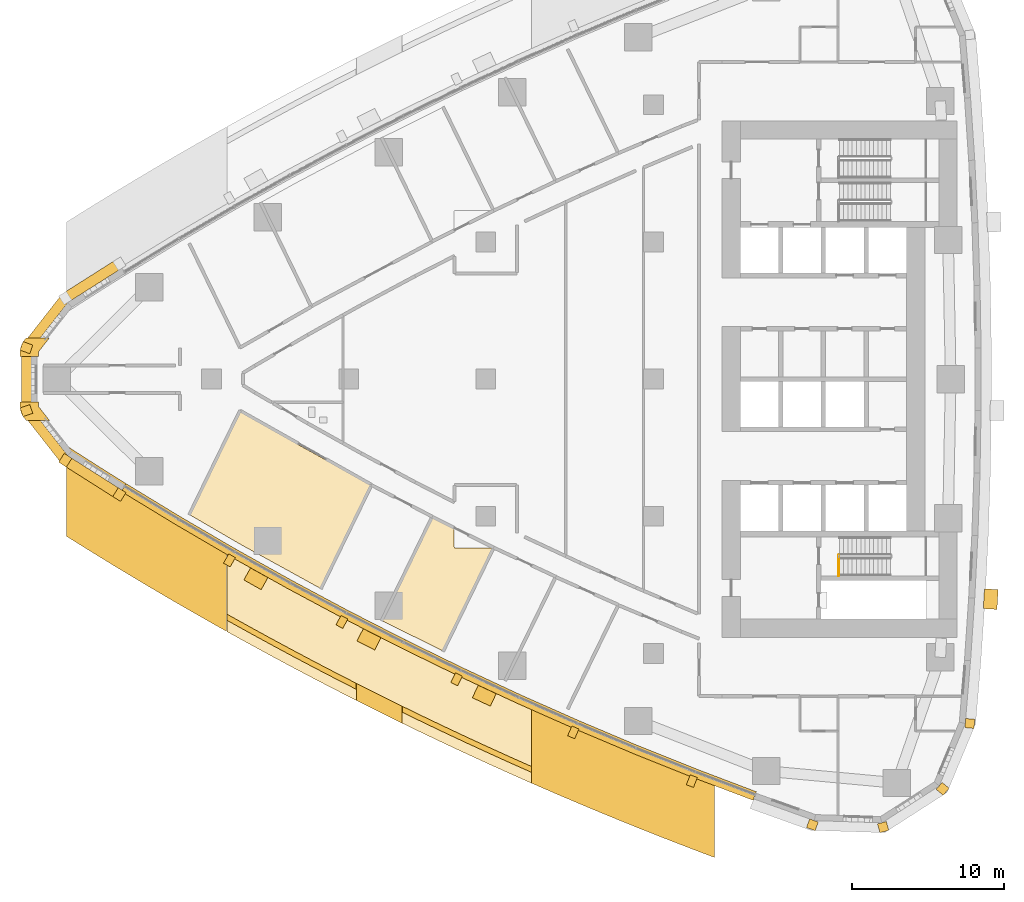
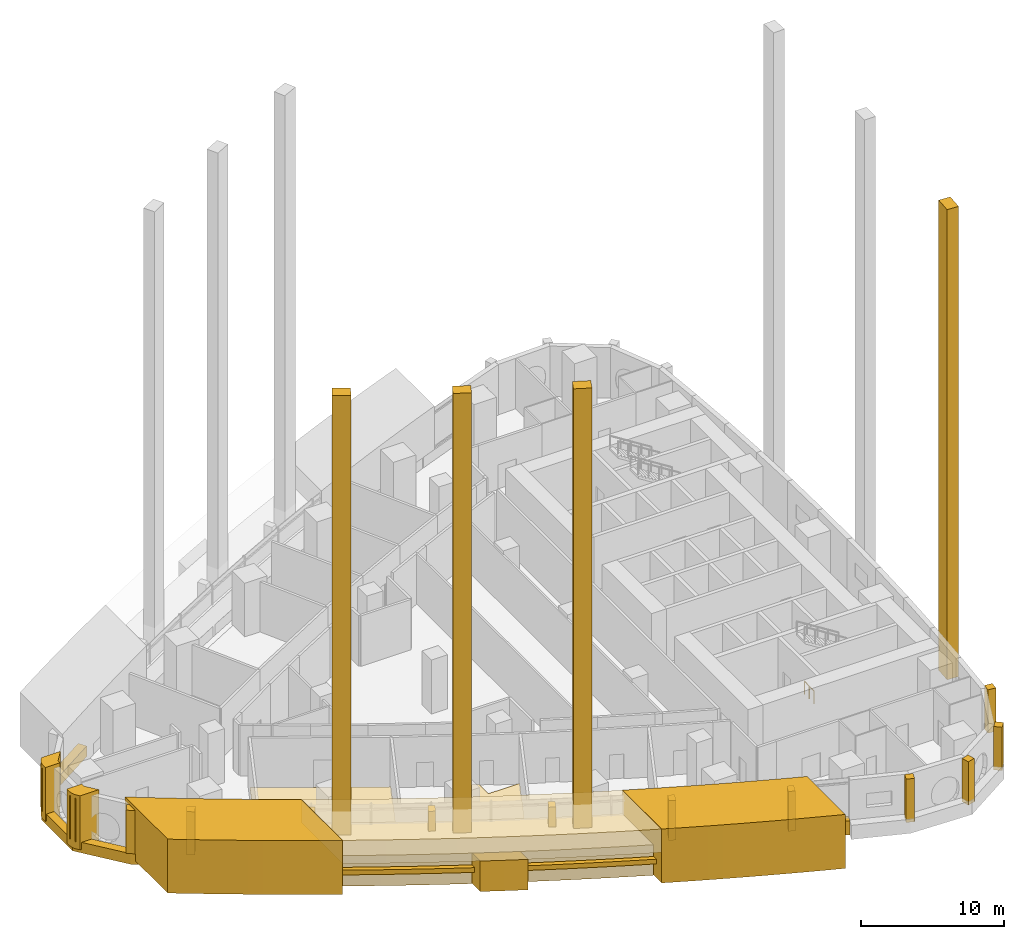
# One storey, part 15 of 20: 30 coverings, 1 railing.
"""IFC4 building model written with IfcOpenShell, lengths in metres."""

import ifcopenshell
import ifcopenshell.guid

model = None  # the IFC model being written
_history = None  # IfcOwnerHistory: only IFC2X3 demands one
_inside = {}  # id of a spatial element -> (the spatial element, [elements in it])
_under = {}  # id of a project, library or spatial element -> (it, [spatial elements below it])
_declared = {}  # id of a project -> (the project, [libraries it declares])
_typed = {}  # id of a type object -> (the type object, [elements of that type])
_made_of = {}  # id of a material, layer set ... -> (it, [elements and type objects made of it])


def new_model(schema):
    """Start an empty IFC model of exactly this schema.

    Asked for "IFC4X3", IfcOpenShell would pick the latest addendum, in which some entities
    have other attributes; the version numbers below select the first issue.
    IFC2X3 requires an IfcOwnerHistory on every rooted entity: one is made here for all.
    """
    global model, _history
    if schema == "IFC4X3":
        model = ifcopenshell.file(schema_version=(4, 3, 0, 0))
    else:
        model = ifcopenshell.file(schema=schema)
    _inside.clear()
    _under.clear()
    _declared.clear()
    _typed.clear()
    _made_of.clear()
    _history = None
    if model.schema == "IFC2X3":
        org = make("IfcOrganization", Name="unknown")
        user = make(
            "IfcPersonAndOrganization",
            ThePerson=make("IfcPerson", FamilyName="unknown"),
            TheOrganization=org,
        )
        app = make(
            "IfcApplication",
            ApplicationDeveloper=org,
            Version="unknown",
            ApplicationFullName="unknown",
            ApplicationIdentifier="unknown",
        )
        _history = make(
            "IfcOwnerHistory",
            OwningUser=user,
            OwningApplication=app,
            ChangeAction="ADDED",
            CreationDate=0,
        )
    return model


def make(cls, **values):
    """One entity of the class cls with the attributes given. An attribute that is None is left unset."""
    return model.create_entity(
        cls, **{name: value for name, value in values.items() if value is not None}
    )


def rooted(cls, **values):
    """An entity with a GlobalId (a new one), such as an element, a storey or a relation."""
    return make(cls, GlobalId=ifcopenshell.guid.new(), OwnerHistory=_history, **values)


def si_unit(unit_type, name, prefix=None):
    """IfcSIUnit, for example si_unit("LENGTHUNIT", "METRE", prefix="MILLI")."""
    return make("IfcSIUnit", UnitType=unit_type, Prefix=prefix, Name=name)


def assignment(units):
    """IfcUnitAssignment: the units of a project."""
    return None if units is None else make("IfcUnitAssignment", Units=units)


def point(xyz):
    """IfcCartesianPoint."""
    return None if xyz is None else make("IfcCartesianPoint", Coordinates=xyz)


def direction(xyz):
    """IfcDirection."""
    return None if xyz is None else make("IfcDirection", DirectionRatios=xyz)


def frame(location, z_axis=None, x_axis=None):
    """IfcAxis2Placement3D, a coordinate frame: its origin and axes. An axis left out is left unset."""
    return make(
        "IfcAxis2Placement3D",
        Location=point(location),
        Axis=direction(z_axis),
        RefDirection=direction(x_axis),
    )


def frame_2d(location, x_axis=None):
    """IfcAxis2Placement2D, a coordinate frame in the plane: its origin and x axis."""
    return make(
        "IfcAxis2Placement2D", Location=point(location), RefDirection=direction(x_axis)
    )


def origin():
    """The frame at (0, 0, 0) with its axes left unset."""
    return frame((0.0, 0.0, 0.0))


def origin_2d():
    """The frame at (0, 0) in the plane with its x axis left unset."""
    return frame_2d((0.0, 0.0))


def place(relative_to, where):
    """IfcLocalPlacement: puts the frame where relative to a parent placement (None: the world)."""
    return make(
        "IfcLocalPlacement", PlacementRelTo=relative_to, RelativePlacement=where
    )


def context(
    kind, dimensions, precision=None, world=None, true_north=None, identifier=None
):
    """IfcGeometricRepresentationContext, for example the 3D "Model" context."""
    return make(
        "IfcGeometricRepresentationContext",
        ContextIdentifier=identifier,
        ContextType=kind,
        CoordinateSpaceDimension=dimensions,
        Precision=precision,
        WorldCoordinateSystem=world,
        TrueNorth=true_north,
    )


def subcontext(parent, identifier, kind, view, scale=None):
    """IfcGeometricRepresentationSubContext, for example "Body" below "Model"."""
    return make(
        "IfcGeometricRepresentationSubContext",
        ContextIdentifier=identifier,
        ContextType=kind,
        ParentContext=parent,
        TargetScale=scale,
        TargetView=view,
    )


def project(units=None, contexts=None):
    """IfcProject with its units and contexts."""
    return rooted(
        "IfcProject",
        Name="project",
        RepresentationContexts=contexts,
        UnitsInContext=assignment(units),
    )


def spatial(cls, under=None, at=None, **own):
    """A site, building, storey or space (cls), placed at a placement, below another one or the project."""
    s = rooted(cls, ObjectPlacement=at, **own)
    if under is not None:
        _under.setdefault(under.id(), (under, []))[1].append(s)
    return s


def polyline(points):
    """IfcPolyline through the points."""
    return make("IfcPolyline", Points=[point(p) for p in points])


def profile(cls, at=None, kind="AREA", **sizes):
    """A parametric profile (cls). Its sizes go by their IFC names, for example OverallWidth=200.0."""
    return make(cls, ProfileType=kind, Position=at, **sizes)


def rectangle(**sizes):
    """IfcRectangleProfileDef."""
    return profile("IfcRectangleProfileDef", **sizes)


def circle(**sizes):
    """IfcCircleProfileDef."""
    return profile("IfcCircleProfileDef", **sizes)


def outline(outer, holes=None, kind="AREA"):
    """IfcArbitraryClosedProfileDef: a profile drawn as a closed curve; with holes, ...WithVoids."""
    if holes is None:
        return make("IfcArbitraryClosedProfileDef", ProfileType=kind, OuterCurve=outer)
    return make(
        "IfcArbitraryProfileDefWithVoids",
        ProfileType=kind,
        OuterCurve=outer,
        InnerCurves=holes,
    )


def extrude(swept, where, along, depth):
    """IfcExtrudedAreaSolid: the profile swept, set in the frame where, extruded along a direction by depth."""
    return make(
        "IfcExtrudedAreaSolid",
        SweptArea=swept,
        Position=where,
        ExtrudedDirection=direction(along),
        Depth=depth,
    )


def shape(context_of_items, identifier, shape_type, items):
    """IfcShapeRepresentation: the items that make up one representation, for example the "Body"."""
    return make(
        "IfcShapeRepresentation",
        ContextOfItems=context_of_items,
        RepresentationIdentifier=identifier,
        RepresentationType=shape_type,
        Items=items,
    )


def material(Name=None, Category=None):
    """IfcMaterial."""
    return make("IfcMaterial", Name=Name, Category=Category)


def layer(
    of_material, thickness, ventilated=None, Name=None, Category=None, Priority=None
):
    """IfcMaterialLayer: one layer of a wall or slab, of a material (None: an air gap)."""
    return make(
        "IfcMaterialLayer",
        Material=of_material,
        LayerThickness=thickness,
        IsVentilated=ventilated,
        Name=Name,
        Category=Category,
        Priority=Priority,
    )


def layer_set(layers, Name=None):
    """IfcMaterialLayerSet."""
    return make("IfcMaterialLayerSet", MaterialLayers=layers, LayerSetName=Name)


def made_of(thing, what):
    """Note that an element or type object is made of a material, layer set ...; save() writes the relation."""
    if what is not None:
        _made_of.setdefault(what.id(), (what, []))[1].append(thing)
    return thing


def type_object(cls, material=None, **own):
    """A type object (cls), such as IfcWallType, which elements share."""
    return made_of(rooted(cls, **own), material)


def element(
    cls,
    number,
    at=None,
    inside=None,
    cuts=None,
    type_object=None,
    material=None,
    context=None,
    identifier="Body",
    shape_type=None,
    held_by="IfcProductDefinitionShape",
    body=None,
    shapes=None,
    **own,
):
    """One element of the class cls, such as IfcWall. Its Tag is "e" and its number.

    at: its placement. inside: the storey or other place that contains it. cuts: it is an
    opening in that element (IfcRelVoidsElement). A single representation is given by context,
    identifier, shape_type and body (its items); several are given by shapes. held_by: the class
    of the entity that holds the representations. save() writes the other relations.
    """
    e = rooted(cls, Tag="e%d" % number, ObjectPlacement=at, **own)
    if body is not None:
        shapes = [shape(context, identifier, shape_type, body)]
    if shapes is not None:
        e.Representation = make(held_by, Representations=shapes)
    if inside is not None:
        _inside.setdefault(inside.id(), (inside, []))[1].append(e)
    if cuts is not None:
        rooted(
            "IfcRelVoidsElement", RelatingBuildingElement=cuts, RelatedOpeningElement=e
        )
    if type_object is not None:
        _typed.setdefault(type_object.id(), (type_object, []))[1].append(e)
    return made_of(e, material)


def aggregate(whole, parts):
    """IfcRelAggregates: a whole, such as a stair, and the parts it consists of."""
    return rooted("IfcRelAggregates", RelatingObject=whole, RelatedObjects=parts)


def save(model, path):
    """Write the relations noted so far, then the file.

    IfcRelAggregates (storeys below a building ...), IfcRelContainedInSpatialStructure (elements
    in a storey), IfcRelDefinesByType, IfcRelAssociatesMaterial and IfcRelDeclares: one each for
    every whole, place, type object, material and project.
    """
    for whole, parts in _under.values():
        aggregate(whole, parts)
    for where, things in _inside.values():
        rooted(
            "IfcRelContainedInSpatialStructure",
            RelatedElements=things,
            RelatingStructure=where,
        )
    for kind, things in _typed.values():
        rooted("IfcRelDefinesByType", RelatedObjects=things, RelatingType=kind)
    for what, things in _made_of.values():
        rooted("IfcRelAssociatesMaterial", RelatedObjects=things, RelatingMaterial=what)
    for by, libraries in _declared.values():
        rooted("IfcRelDeclares", RelatingContext=by, RelatedDefinitions=libraries)
    model.write(path)


model = new_model("IFC4")

# Units and contexts
model_context = context("Model", 3, precision=1e-05, world=origin(), true_north=direction((0.0, 1.0)))
body_context = subcontext(model_context, "Body", "Model", "MODEL_VIEW")
ifc_project = project(units=[si_unit("LENGTHUNIT", "METRE"), si_unit("AREAUNIT", "SQUARE_METRE"), si_unit("VOLUMEUNIT", "CUBIC_METRE"), si_unit("PLANEANGLEUNIT", "RADIAN"), si_unit("MASSUNIT", "GRAM", prefix="KILO")], contexts=[model_context])

# Site, building, storey
site_placement = place(None, origin())
site = spatial("IfcSite", under=ifc_project, at=site_placement, CompositionType="ELEMENT")
building_placement = place(site_placement, origin())
building = spatial("IfcBuilding", under=site, at=building_placement, Name="Ostrand Prow Hotel Tower", CompositionType="ELEMENT")
storey_placement = place(building_placement, frame((0.0, 0.0, 35.0)))
storey = spatial("IfcBuildingStorey", under=building, at=storey_placement, Name="L06", CompositionType="ELEMENT", Elevation=35.0)

# Coverings
ifc_material_1 = material(Name="Bronze anodised aluminium cladding", Category="aluminium")
ifc_layer_1 = layer(ifc_material_1, 0.60009765625)
ifc_layer_set_1 = layer_set([ifc_layer_1], Name="Bronze anodised aluminium cladding")
covering_type_1 = type_object("IfcCoveringType", Name="Bronze prow band 899x600", PredefinedType="CLADDING", material=ifc_layer_set_1)
covering_1_placement = place(storey_placement, frame((0.0, 0.0, -0.300048828125)))
element("IfcCovering", 1, at=covering_1_placement, inside=storey, type_object=covering_type_1, Name="Bronze prow band", PredefinedType="CLADDING", context=body_context, shape_type="SweptSolid", body=[
    extrude(outline(polyline([(9.77734375, 7.864013671875), (6.2197265625, 5.6083984375), (3.53369140625, 2.178466796875), (3.53369140625, -2.178466796875), (6.2197265625, -5.6083984375), (9.77734375, -7.864013671875), (10.13623046875, -7.286376953125), (6.589111328125, -5.03759765625), (4.176513671875, -1.95654296875), (4.176513671875, 1.95654296875), (6.589111328125, 5.03759765625), (10.13623046875, 7.286376953125), (9.77734375, 7.864013671875)])), origin(), (0.0, 0.0, 1.0), 0.900146484375),
])
ifc_material_2 = material(Name="Bronze anodised aluminium cladding", Category="aluminium")
ifc_layer_2 = layer(ifc_material_2, 0.60009765625)
ifc_layer_set_2 = layer_set([ifc_layer_2], Name="Bronze anodised aluminium cladding")
covering_type_2 = type_object("IfcCoveringType", Name="Bronze spandrel band 1200x600", PredefinedType="CLADDING", material=ifc_layer_set_2)
covering_2_placement = place(storey_placement, frame((0.0, 0.0, -0.300048828125)))
element("IfcCovering", 2, at=covering_2_placement, inside=storey, type_object=covering_type_2, Name="Spandrel band S1", PredefinedType="CLADDING", context=body_context, shape_type="SweptSolid", body=[
    extrude(outline(polyline([(10.08349609375, -7.371337890625), (13.672607421875, -9.555419921875), (17.301513671875, -11.673095703125), (20.968994140625, -13.723876953125), (24.673095703125, -15.70654296875), (28.413330078125, -17.62060546875), (32.188232421875, -19.4658203125), (35.996337890625, -21.2412109375), (39.83642578125, -22.946044921875), (43.70751953125, -24.580078125), (47.607666015625, -26.142578125), (51.5361328125, -27.6328125), (51.743896484375, -27.070068359375), (47.82568359375, -25.58349609375), (43.935791015625, -24.025146484375), (40.074951171875, -22.3955078125), (36.244873046875, -20.695068359375), (32.44677734375, -18.92431640625), (28.681884765625, -17.083984375), (24.951416015625, -15.1748046875), (21.2568359375, -13.197509765625), (17.59912109375, -11.152099609375), (13.97998046875, -9.0400390625), (10.39990234375, -6.86181640625), (10.08349609375, -7.371337890625)])), origin(), (0.0, 0.0, 1.0), 1.199951171875),
])
ifc_material_3 = material(Name="Limestone cladding", Category="masonry")
ifc_layer_3 = layer(ifc_material_3, 5.0)
ifc_layer_set_3 = layer_set([ifc_layer_3], Name="Limestone cladding")
covering_type_3 = type_object("IfcCoveringType", Name="Portal jamb pilaster limestone", PredefinedType="CLADDING", material=ifc_layer_set_3)
covering_3_placement = place(storey_placement, origin())
element("IfcCovering", 3, at=covering_3_placement, inside=storey, type_object=covering_type_3, Name="Portal jamb SA L06", PredefinedType="CLADDING", context=body_context, shape_type="SweptSolid", body=[
    extrude(outline(polyline([(6.5, -4.3837890625), (6.5, -10.319580078125), (7.45458984375, -10.917724609375), (8.4091796875, -11.509521484375), (9.363525390625, -12.09521484375), (10.318115234375, -12.67431640625), (11.272705078125, -13.247314453125), (12.227294921875, -13.81396484375), (13.181884765625, -14.37451171875), (14.136474609375, -14.92919921875), (15.0908203125, -15.4775390625), (16.04541015625, -16.020263671875), (17.0, -16.556640625), (17.0, -10.80859375), (16.04541015625, -10.25634765625), (15.0908203125, -9.697998046875), (14.136474609375, -9.13330078125), (13.181884765625, -8.562255859375), (12.227294921875, -7.98486328125), (11.272705078125, -7.401123046875), (10.318115234375, -6.810791015625), (9.363525390625, -6.214111328125), (8.4091796875, -5.610595703125), (7.45458984375, -5.00048828125), (6.5, -4.3837890625)])), origin(), (0.0, 0.0, 1.0), 4.60009765625),
])
covering_4_placement = place(storey_placement, origin())
element("IfcCovering", 4, at=covering_4_placement, inside=storey, type_object=covering_type_3, Name="Portal jamb SB L06", PredefinedType="CLADDING", context=body_context, shape_type="SweptSolid", body=[
    extrude(outline(polyline([(37.0, -21.037109375), (37.0, -26.50927734375), (38.0, -26.945556640625), (39.0, -27.376220703125), (40.0, -27.801513671875), (41.0, -28.22119140625), (42.0, -28.635498046875), (43.0, -29.044189453125), (44.0, -29.447509765625), (45.0, -29.845703125), (46.0, -30.23828125), (47.0, -30.62548828125), (48.0, -31.0078125), (49.0, -31.384521484375), (49.0, -26.03759765625), (48.0, -25.6513671875), (47.0, -25.259765625), (46.0, -24.862548828125), (45.0, -24.459716796875), (44.0, -24.051513671875), (43.0, -23.637939453125), (42.0, -23.218505859375), (41.0, -22.793701171875), (40.0, -22.363037109375), (39.0, -21.9267578125), (38.0, -21.484619140625), (37.0, -21.037109375)])), origin(), (0.0, 0.0, 1.0), 4.60009765625),
])
ifc_material_4 = material(Name="Limestone cladding", Category="masonry")
ifc_layer_4 = layer(ifc_material_4, 1.0)
ifc_layer_set_4 = layer_set([ifc_layer_4], Name="Limestone cladding")
covering_type_4 = type_object("IfcCoveringType", Name="Portal keystone limestone", PredefinedType="CLADDING", material=ifc_layer_set_4)
covering_5_placement = place(storey_placement, origin())
element("IfcCovering", 5, at=covering_5_placement, inside=storey, type_object=covering_type_4, Name="Portal keystone S L06", PredefinedType="CLADDING", context=body_context, shape_type="SweptSolid", body=[
    extrude(outline(polyline([(27.0, -21.83251953125), (28.5, -22.5712890625), (28.5, -21.457763671875), (28.4287109375, -21.4228515625), (27.0, -20.71533203125), (25.5712890625, -19.995361328125), (25.5, -19.958740234375), (25.5, -21.080322265625), (27.0, -21.83251953125)])), origin(), (0.0, 0.0, 1.0), 2.60009765625),
])
ifc_material_5 = material(Name="Limestone cladding", Category="masonry")
ifc_layer_5 = layer(ifc_material_5, 0.35009765625)
ifc_layer_set_5 = layer_set([ifc_layer_5], Name="Limestone cladding")
covering_type_5 = type_object("IfcCoveringType", Name="Portal lintel course limestone 350 mm", PredefinedType="CLADDING", material=ifc_layer_set_5)
covering_6_placement = place(storey_placement, frame((0.0, 0.0, 1.199951171875)))
element("IfcCovering", 6, at=covering_6_placement, inside=storey, type_object=covering_type_5, Name="Portal lintel course S L06.1 1", PredefinedType="CLADDING", context=body_context, shape_type="SweptSolid", body=[
    extrude(outline(polyline([(24.142822265625, -19.656982421875), (25.47998046875, -20.34130859375), (25.47998046875, -19.948486328125), (24.142822265625, -19.26318359375), (22.71435546875, -18.518310546875), (21.28564453125, -17.7607421875), (19.857177734375, -16.990234375), (18.4287109375, -16.206787109375), (17.010009765625, -15.416015625), (17.010009765625, -15.8173828125), (18.4287109375, -16.606689453125), (19.857177734375, -17.388671875), (21.28564453125, -18.157470703125), (22.71435546875, -18.91357421875), (24.142822265625, -19.656982421875)])), origin(), (0.0, 0.0, 1.0), 0.400146484375),
])
covering_7_placement = place(storey_placement, frame((0.0, 0.0, 1.199951171875)))
element("IfcCovering", 7, at=covering_7_placement, inside=storey, type_object=covering_type_5, Name="Portal lintel course S L06.1 2", PredefinedType="CLADDING", context=body_context, shape_type="SweptSolid", body=[
    extrude(outline(polyline([(34.142822265625, -24.517333984375), (35.5712890625, -25.1640625), (36.989990234375, -25.794921875), (36.989990234375, -25.412109375), (35.5712890625, -24.780517578125), (34.142822265625, -24.132568359375), (32.71435546875, -23.472900390625), (31.28564453125, -22.801513671875), (29.857177734375, -22.118408203125), (28.52001953125, -21.46728515625), (28.52001953125, -21.857177734375), (29.857177734375, -22.5068359375), (31.28564453125, -23.18896484375), (32.71435546875, -23.859130859375), (34.142822265625, -24.517333984375)])), origin(), (0.0, 0.0, 1.0), 0.400146484375),
])
ifc_material_6 = material(Name="Limestone cladding", Category="masonry")
ifc_layer_6 = layer(ifc_material_6, 4.0)
ifc_layer_set_6 = layer_set([ifc_layer_6], Name="Limestone cladding")
covering_type_6 = type_object("IfcCoveringType", Name="Portal lintel limestone", PredefinedType="CLADDING", material=ifc_layer_set_6)
covering_8_placement = place(storey_placement, origin())
element("IfcCovering", 8, at=covering_8_placement, inside=storey, type_object=covering_type_6, Name="Portal lintel S L06", PredefinedType="CLADDING", context=body_context, shape_type="SweptSolid", body=[
    extrude(outline(polyline([(18.4287109375, -11.623779296875), (17.010009765625, -10.814453125), (17.010009765625, -15.416015625), (18.4287109375, -16.206787109375), (19.857177734375, -16.990234375), (21.28564453125, -17.7607421875), (22.71435546875, -18.518310546875), (24.142822265625, -19.26318359375), (25.5712890625, -19.995361328125), (27.0, -20.71533203125), (28.4287109375, -21.4228515625), (29.857177734375, -22.118408203125), (31.28564453125, -22.801513671875), (32.71435546875, -23.472900390625), (34.142822265625, -24.132568359375), (35.5712890625, -24.780517578125), (36.989990234375, -25.412109375), (36.989990234375, -21.037109375), (36.989990234375, -21.035888671875), (36.990234375, -21.034912109375), (36.990478515625, -21.033935546875), (36.99072265625, -21.033203125), (36.990966796875, -21.03271484375), (35.5712890625, -20.38720703125), (34.142822265625, -19.7255859375), (32.71435546875, -19.052001953125), (31.28564453125, -18.365966796875), (29.857177734375, -17.667724609375), (28.4287109375, -16.957275390625), (27.0, -16.234130859375), (25.5712890625, -15.498291015625), (24.142822265625, -14.74951171875), (22.71435546875, -13.98779296875), (21.28564453125, -13.213134765625), (19.857177734375, -12.42529296875), (18.4287109375, -11.623779296875)])), origin(), (0.0, 0.0, 1.0), 2.60009765625),
])
covering_9_placement = place(storey_placement, frame((0.0, 0.0, 2.60009765625)))
element("IfcCovering", 9, at=covering_9_placement, inside=storey, type_object=covering_type_6, Name="Portal cornice S L06", PredefinedType="CLADDING", context=body_context, shape_type="SweptSolid", body=[
    extrude(outline(polyline([(18.22412109375, -11.5078125), (17.010009765625, -10.8134765625), (17.010009765625, -16.556640625), (17.010009765625, -16.5576171875), (17.009765625, -16.55859375), (17.009521484375, -16.559814453125), (17.00927734375, -16.560546875), (17.009033203125, -16.560791015625), (18.22412109375, -17.236328125), (19.689697265625, -18.037109375), (21.1552734375, -18.824462890625), (22.62060546875, -19.598388671875), (24.086181640625, -20.359130859375), (25.5517578125, -21.106689453125), (27.01708984375, -21.841064453125), (28.48291015625, -22.562744140625), (29.9482421875, -23.271728515625), (31.413818359375, -23.96826171875), (32.87939453125, -24.652099609375), (34.3447265625, -25.323486328125), (35.810302734375, -25.98291015625), (36.989990234375, -26.50390625), (36.989990234375, -21.037109375), (36.989990234375, -21.035888671875), (36.990234375, -21.034912109375), (36.990478515625, -21.033935546875), (36.99072265625, -21.033203125), (36.9912109375, -21.0322265625), (36.9912109375, -21.031982421875), (35.810302734375, -20.49658203125), (34.3447265625, -19.81982421875), (32.87939453125, -19.13037109375), (31.413818359375, -18.427978515625), (29.9482421875, -17.712646484375), (28.48291015625, -16.984375), (27.01708984375, -16.242919921875), (25.5517578125, -15.488037109375), (24.086181640625, -14.719482421875), (22.62060546875, -13.9375), (21.1552734375, -13.1416015625), (19.689697265625, -12.331787109375), (18.22412109375, -11.5078125)])), origin(), (0.0, 0.0, 1.0), 2.0),
])
ifc_material_7 = material(Name="Limestone cladding", Category="masonry")
ifc_layer_7 = layer(ifc_material_7, 1.300048828125)
ifc_layer_set_7 = layer_set([ifc_layer_7], Name="Limestone cladding")
covering_type_7 = type_object("IfcCoveringType", Name="Precast stone fin 1300x1500", PredefinedType="CLADDING", material=ifc_layer_set_7)
for number, where, z_axis, x_axis, name in (
    (10, (19.130615234375, -12.706787109375, 0.0), (0.0, 0.0, 1.0), (-0.487967253808, -0.872861935939, 0.0), "Stone fin S zone 1 3"),
    (11, (26.538818359375, -16.672119140625, 0.0), (0.0, 0.0, 1.0), (-0.455440806786, -0.890266067821, 0.0), "Stone fin S zone 1 5"),
):
    element("IfcCovering", number, at=place(storey_placement, frame(where, z_axis=z_axis, x_axis=x_axis)), inside=storey, type_object=covering_type_7, Name=name, PredefinedType="CLADDING", context=body_context, shape_type="SweptSolid", body=[
        extrude(rectangle(XDim=0.900146484375, YDim=1.300048828125, at=frame_2d((0.4501953125, 0.0))), origin(), (0.0, 0.0, 1.0), 40.10009765625),
    ])
covering_10_placement = place(storey_placement, frame((34.088134765625, -20.3623046875, 0.0), z_axis=(0.0, 0.0, 1.0), x_axis=(-0.422410141551, -0.906404805986, 0.0)))
element("IfcCovering", 12, at=covering_10_placement, inside=storey, type_object=covering_type_7, Name="Stone fin S zone 1 7", PredefinedType="CLADDING", context=body_context, shape_type="SweptSolid", body=[
    extrude(rectangle(XDim=0.89990234375, YDim=1.300048828125, at=frame_2d((0.449951171875, 0.0))), origin(), (0.0, 0.0, 1.0), 40.10009765625),
])
covering_11_placement = place(storey_placement, frame((66.677001953125, -14.406494140625, 0.0), z_axis=(0.0, 0.0, 1.0), x_axis=(0.998265003903, -0.058881083405, 0.0)))
element("IfcCovering", 13, at=covering_11_placement, inside=storey, type_object=covering_type_7, Name="Stone fin back zone 1 7", PredefinedType="CLADDING", context=body_context, shape_type="SweptSolid", body=[
    extrude(rectangle(XDim=0.899658203125, YDim=1.300048828125, at=frame_2d((0.44970703125, 0.0))), origin(), (0.0, 0.0, 1.0), 40.10009765625),
])
ifc_material_8 = material(Name="Limestone cladding", Category="masonry")
ifc_layer_8 = layer(ifc_material_8, 0.5)
ifc_layer_set_8 = layer_set([ifc_layer_8], Name="Limestone cladding")
covering_type_8 = type_object("IfcCoveringType", Name="Precast stone fin 500x600", PredefinedType="CLADDING", material=ifc_layer_set_8)
for number, where, z_axis, x_axis, name in (
    (14, (17.351318359375, -11.58642578125, 0.89990234375), (0.0, 0.0, 1.0), (-0.496326736207, -0.868135802122, 0.0), "Stone fin S 3"),
    (15, (24.719482421875, -15.617919921875, 0.89990234375), (0.0, 0.0, 1.0), (-0.463602867837, -0.886043103316, 0.0), "Stone fin S 5"),
):
    element("IfcCovering", number, at=place(storey_placement, frame(where, z_axis=z_axis, x_axis=x_axis)), inside=storey, type_object=covering_type_8, Name=name, PredefinedType="CLADDING", context=body_context, shape_type="SweptSolid", body=[
        extrude(rectangle(XDim=0.699951171875, YDim=0.5, at=frame_2d((0.35009765625, 0.0))), origin(), (0.0, 0.0, 1.0), 3.400146484375),
    ])
covering_12_placement = place(storey_placement, frame((32.231201171875, -19.37548828125, 0.89990234375), z_axis=(0.0, 0.0, 1.0), x_axis=(-0.430677943973, -0.902505683403, 0.0)))
element("IfcCovering", 16, at=covering_12_placement, inside=storey, type_object=covering_type_8, Name="Stone fin S 7", PredefinedType="CLADDING", context=body_context, shape_type="SweptSolid", body=[
    extrude(rectangle(XDim=0.7001953125, YDim=0.5, at=frame_2d((0.35009765625, 0.0))), origin(), (0.0, 0.0, 1.0), 3.400146484375),
])
for number, where, z_axis, x_axis, name in (
    (17, (39.876220703125, -22.854248046875, 0.89990234375), (0.0, 0.0, 1.0), (-0.397284388642, -0.917695545669, 0.0), "Stone fin S 9"),
    (18, (47.64404296875, -26.04931640625, 0.89990234375), (0.0, 0.0, 1.0), (-0.363439124907, -0.931617948779, 0.0), "Stone fin S 11"),
):
    element("IfcCovering", number, at=place(storey_placement, frame(where, z_axis=z_axis, x_axis=x_axis)), inside=storey, type_object=covering_type_8, Name=name, PredefinedType="CLADDING", context=body_context, shape_type="SweptSolid", body=[
        extrude(rectangle(XDim=0.699951171875, YDim=0.5, at=frame_2d((0.35009765625, 0.0))), origin(), (0.0, 0.0, 1.0), 3.400146484375),
    ])
ifc_material_9 = material(Name="Limestone cladding", Category="masonry")
ifc_layer_9 = layer(ifc_material_9, 0.60009765625)
ifc_layer_set_9 = layer_set([ifc_layer_9], Name="Limestone cladding")
covering_type_9 = type_object("IfcCoveringType", Name="Precast stone prow rib 600x600", PredefinedType="CLADDING", material=ifc_layer_set_9)
for number, where, z_axis, x_axis, name in (
    (19, (4.176513671875, 1.95654296875, 0.60009765625), (0.0, 0.0, 1.0), (-0.945254650653, 0.326333641262, 0.0), "Stone prow rib 3"),
    (20, (4.176513671875, -1.95654296875, 0.60009765625), (0.0, 0.0, 1.0), (-0.945254650653, -0.326333641262, 0.0), "Stone prow rib 4"),
    (21, (6.589111328125, -5.03759765625, 0.60009765625), (0.0, 0.0, 1.0), (-0.543295944087, -0.839541253983, 0.0), "Stone prow rib 5"),
    (22, (10.13623046875, -7.286376953125, 0.60009765625), (0.0, 0.0, 1.0), (-0.527738148304, -0.849407114889, 0.0), "Stone prow rib 6"),
):
    element("IfcCovering", number, at=place(storey_placement, frame(where, z_axis=z_axis, x_axis=x_axis)), inside=storey, type_object=covering_type_9, Name=name, PredefinedType="CLADDING", context=body_context, shape_type="SweptSolid", body=[
        extrude(rectangle(XDim=0.679931640625, YDim=0.60009765625, at=frame_2d((0.33984375, 0.0))), origin(), (0.0, 0.0, 1.0), 3.699951171875),
    ])
for number, where, z_axis, x_axis, name in (
    (23, (55.524169921875, -28.956298828125, 0.60009765625), (0.0, 0.0, 1.0), (-0.328773122904, -0.94440893349, 0.0), "Stone corner rib 2a"),
    (24, (59.98681640625, -29.1025390625, 0.60009765625), (0.0, 0.0, 1.0), (0.266111535611, -0.963942244439, 0.0), "Stone corner rib 3a"),
    (25, (63.74169921875, -26.6865234375, 0.60009765625), (0.0, 0.0, 1.0), (0.766985844654, -0.641664019639, 0.0), "Stone corner rib 4a"),
    (26, (65.4580078125, -22.564453125, 0.60009765625), (0.0, 0.0, 1.0), (0.995724747837, -0.09237005221, 0.0), "Stone corner rib 4b"),
):
    element("IfcCovering", number, at=place(storey_placement, frame(where, z_axis=z_axis, x_axis=x_axis)), inside=storey, type_object=covering_type_9, Name=name, PredefinedType="CLADDING", context=body_context, shape_type="SweptSolid", body=[
        extrude(rectangle(XDim=0.60009765625, YDim=0.60009765625, at=frame_2d((0.300048828125, 0.0))), origin(), (0.0, 0.0, 1.0), 3.699951171875),
    ])
ifc_material_10 = material(Name="Limestone cladding", Category="masonry")
ifc_layer_10 = layer(ifc_material_10, 3.0)
ifc_layer_set_10 = layer_set([ifc_layer_10], Name="Limestone cladding")
covering_type_10 = type_object("IfcCoveringType", Name="Prow nose pier limestone", PredefinedType="CLADDING", material=ifc_layer_set_10)
covering_13_placement = place(storey_placement, origin())
element("IfcCovering", 27, at=covering_13_placement, inside=storey, type_object=covering_type_10, Name="Prow spine fin N L06", PredefinedType="CLADDING", context=body_context, shape_type="SweptSolid", body=[
    extrude(outline(polyline([(3.44921875, 1.793701171875), (3.44921875, 1.5), (4.649169921875, 1.5), (4.649169921875, 1.793701171875), (5.35888671875, 2.699951171875), (3.834716796875, 2.699951171875), (3.704345703125, 2.533447265625), (3.638427734375, 2.440673828125), (3.581787109375, 2.341796875), (3.53466796875, 2.23828125), (3.49755859375, 2.130615234375), (3.470703125, 2.02001953125), (3.45458984375, 1.9072265625), (3.44921875, 1.793701171875)])), origin(), (0.0, 0.0, 1.0), 4.60009765625),
])
covering_14_placement = place(storey_placement, origin())
element("IfcCovering", 28, at=covering_14_placement, inside=storey, type_object=covering_type_10, Name="Prow spine fin S L06", PredefinedType="CLADDING", context=body_context, shape_type="SweptSolid", body=[
    extrude(outline(polyline([(3.704345703125, -2.533447265625), (3.834716796875, -2.699951171875), (5.35888671875, -2.699951171875), (4.649169921875, -1.793701171875), (4.649169921875, -1.5), (3.44921875, -1.5), (3.44921875, -1.793701171875), (3.45458984375, -1.9072265625), (3.470703125, -2.02001953125), (3.49755859375, -2.130615234375), (3.53466796875, -2.23828125), (3.581787109375, -2.341796875), (3.638427734375, -2.440673828125), (3.704345703125, -2.533447265625)])), origin(), (0.0, 0.0, 1.0), 4.60009765625),
])

# Railing
ifc_material_11 = material(Name="Painted steel", Category="steel")
railing_type = type_object("IfcRailingType", Name="Stair guard 1100", PredefinedType="GUARDRAIL", material=ifc_material_11)
railing_placement = place(storey_placement, frame((57.14990234375, -12.89990234375, 0.0)))
element("IfcRailing", 29, at=railing_placement, inside=storey, type_object=railing_type, Name="L06 ST2B top well guard 1", PredefinedType="GUARDRAIL", context=body_context, shape_type="SweptSolid", body=[
    extrude(circle(Radius=0.02392578125, at=origin_2d()), frame((0.0, 0.0, 1.076171875), z_axis=(0.0, 1.0, 0.0), x_axis=(-1.0, 0.0, 0.0)), (0.0, 0.0, 1.0), 1.349853515625),
    extrude(circle(Radius=0.02099609375, at=origin_2d()), origin(), (0.0, 0.0, 1.0), 1.052001953125),
    extrude(circle(Radius=0.02099609375, at=origin_2d()), frame((0.0, 0.6748046875, 0.0)), (0.0, 0.0, 1.0), 1.052001953125),
    extrude(circle(Radius=0.02099609375, at=origin_2d()), frame((0.0, 1.349853515625, 0.0)), (0.0, 0.0, 1.0), 1.052001953125),
])

# Coverings
ifc_material_12 = material(Name="Polished limestone", Category="masonry")
ifc_layer_11 = layer(ifc_material_12, 0.030029296875)
ifc_layer_set_11 = layer_set([ifc_layer_11], Name="Polished limestone")
covering_type_11 = type_object("IfcCoveringType", Name="Stone floor finish 30 mm", PredefinedType="FLOORING", material=ifc_layer_set_11)
covering_15_placement = place(storey_placement, origin())
element("IfcCovering", 30, at=covering_15_placement, inside=storey, type_object=covering_type_11, Name="Floor finish Restaurant", PredefinedType="FLOORING", context=body_context, shape_type="SweptSolid", body=[
    extrude(outline(polyline([(17.8076171875, -10.78759765625), (23.157470703125, -13.738037109375), (26.470458984375, -6.942138671875), (21.555419921875, -4.227294921875), (17.888427734375, -2.083251953125), (14.56689453125, -8.896484375), (17.8076171875, -10.78759765625)]), holes=[polyline([(20.045654296875, -10.80322265625), (20.025390625, -10.8369140625), (20.002197265625, -10.868408203125), (19.9755859375, -10.8974609375), (19.94677734375, -10.923828125), (19.9150390625, -10.947265625), (19.881591796875, -10.967529296875), (19.845947265625, -10.984375), (19.80908203125, -10.99755859375), (19.77099609375, -11.007080078125), (19.732177734375, -11.0126953125), (19.69287109375, -11.0146484375), (19.65380859375, -11.0126953125), (19.614990234375, -11.007080078125), (19.576904296875, -10.99755859375), (19.539794921875, -10.984375), (19.50439453125, -10.967529296875), (19.470703125, -10.947265625), (19.439208984375, -10.923828125), (19.41015625, -10.8974609375), (19.3837890625, -10.868408203125), (19.3603515625, -10.8369140625), (19.340087890625, -10.80322265625), (19.3232421875, -10.767822265625), (19.31005859375, -10.730712890625), (19.300537109375, -10.692626953125), (19.294921875, -10.65380859375), (19.29296875, -10.61474609375), (19.294921875, -10.575439453125), (19.300537109375, -10.53662109375), (19.31005859375, -10.49853515625), (19.3232421875, -10.461669921875), (19.340087890625, -10.426025390625), (19.3603515625, -10.392578125), (19.3837890625, -10.36083984375), (19.41015625, -10.331787109375), (19.439208984375, -10.305419921875), (19.470703125, -10.281982421875), (19.50439453125, -10.261962890625), (19.539794921875, -10.2451171875), (19.576904296875, -10.23193359375), (19.614990234375, -10.222412109375), (19.65380859375, -10.216552734375), (19.69287109375, -10.214599609375), (19.732177734375, -10.216552734375), (19.77099609375, -10.222412109375), (19.80908203125, -10.23193359375), (19.845947265625, -10.2451171875), (19.881591796875, -10.261962890625), (19.9150390625, -10.281982421875), (19.94677734375, -10.305419921875), (19.9755859375, -10.331787109375), (20.002197265625, -10.36083984375), (20.025390625, -10.392578125), (20.045654296875, -10.426025390625), (20.0625, -10.461669921875), (20.07568359375, -10.49853515625), (20.085205078125, -10.53662109375), (20.091064453125, -10.575439453125), (20.093017578125, -10.61474609375), (20.091064453125, -10.65380859375), (20.085205078125, -10.692626953125), (20.07568359375, -10.730712890625), (20.0625, -10.767822265625), (20.045654296875, -10.80322265625)])]), origin(), (0.0, 0.0, 1.0), 0.030029296875),
])
covering_16_placement = place(storey_placement, origin())
element("IfcCovering", 31, at=covering_16_placement, inside=storey, type_object=covering_type_11, Name="Floor finish Private Dining Room", PredefinedType="FLOORING", context=body_context, shape_type="SweptSolid", body=[
    extrude(outline(polyline([(27.188720703125, -15.84765625), (31.181396484375, -17.83837890625), (34.478515625, -11.074951171875), (31.927490234375, -11.074462890625), (31.925048828125, -9.78515625), (30.499755859375, -9.055908203125), (27.832763671875, -14.52685546875), (27.857666015625, -14.541748046875), (27.88916015625, -14.565185546875), (27.918212890625, -14.591552734375), (27.944580078125, -14.62060546875), (27.968017578125, -14.652099609375), (27.98828125, -14.685791015625), (28.0048828125, -14.72119140625), (28.018310546875, -14.75830078125), (28.027587890625, -14.79638671875), (28.033447265625, -14.835205078125), (28.035400390625, -14.874267578125), (28.033447265625, -14.91357421875), (28.027587890625, -14.952392578125), (28.018310546875, -14.990478515625), (28.0048828125, -15.02734375), (27.98828125, -15.06298828125), (27.968017578125, -15.096435546875), (27.944580078125, -15.128173828125), (27.918212890625, -15.156982421875), (27.88916015625, -15.18359375), (27.857666015625, -15.206787109375), (27.823974609375, -15.22705078125), (27.78857421875, -15.243896484375), (27.75146484375, -15.257080078125), (27.71337890625, -15.2666015625), (27.674560546875, -15.2724609375), (27.635498046875, -15.2744140625), (27.59619140625, -15.2724609375), (27.557373046875, -15.2666015625), (27.519287109375, -15.257080078125), (27.48291015625, -15.244140625), (27.188720703125, -15.84765625)])), origin(), (0.0, 0.0, 1.0), 0.030029296875),
])

save(model, "model.ifc")
